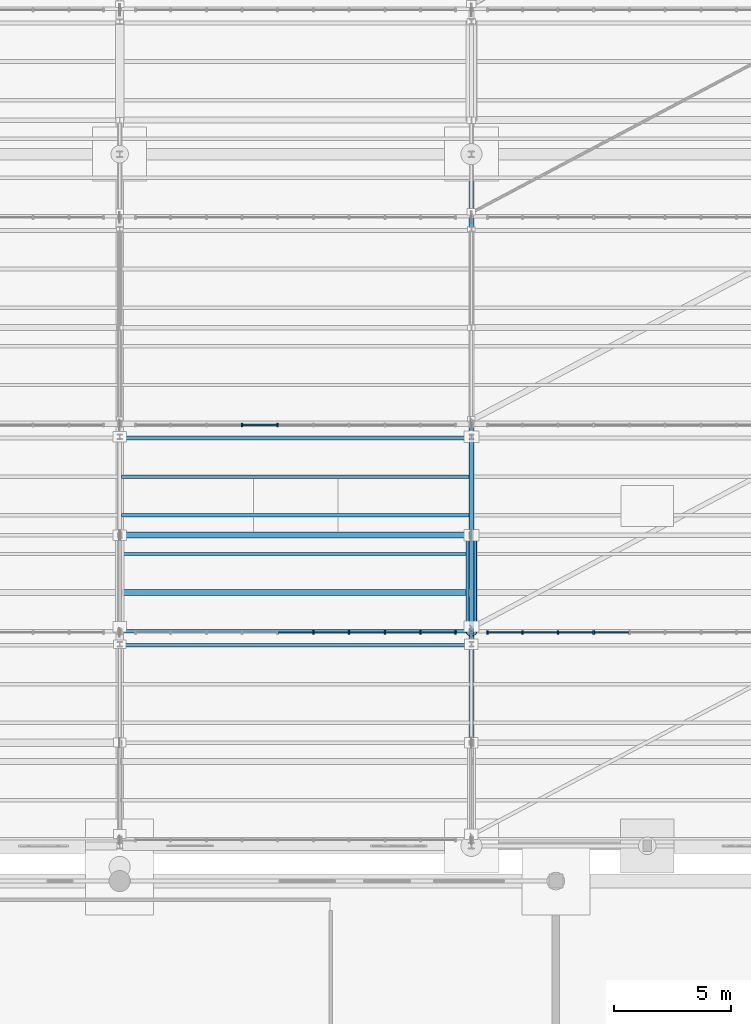
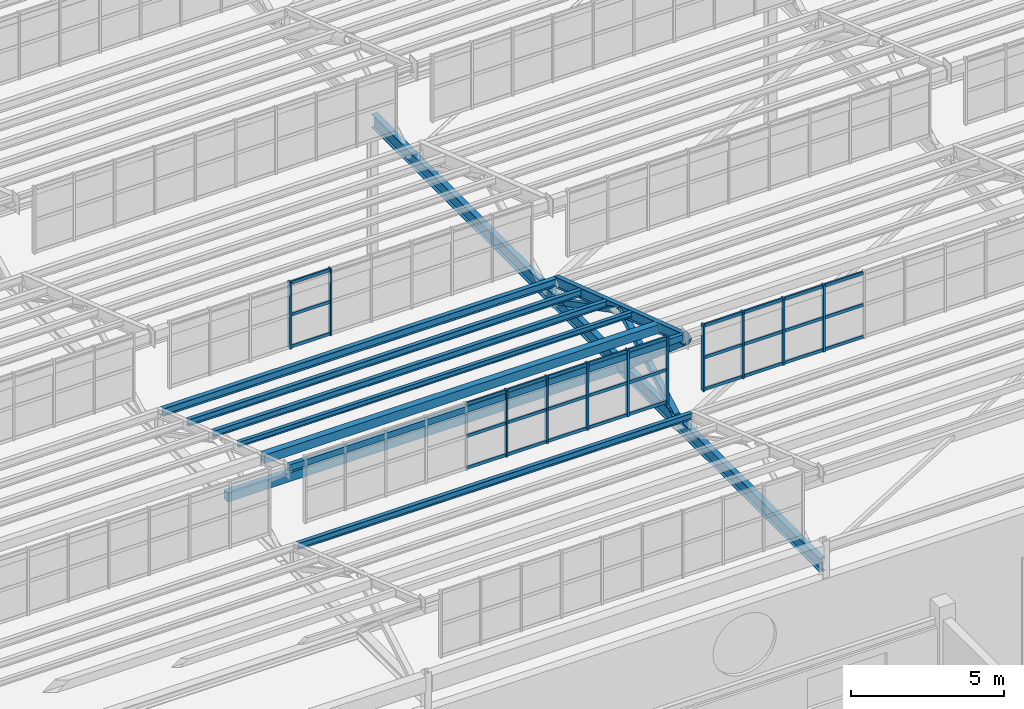
# One storey, part 78 of 285: 45 members, 9 beams, 3 elements without a shape of their own.
"""IFC4 building model written with IfcOpenShell, lengths in metres."""

from ifc_helpers import new_model, si_unit, direction, frame, origin, origin_2d, place, context, subcontext, project, spatial, rectangle, hollow_rectangle, hollow_circle, i_section, extrude, material, material_profile, profile_set, type_object, element, aggregate, save


model = new_model("IFC4")

# Units and contexts
model_context = context("Model", 3, precision=1e-05, world=origin(), true_north=direction((0.0, 1.0)))
body_context = subcontext(model_context, "Body", "Model", "MODEL_VIEW")
ifc_project = project(units=[si_unit("LENGTHUNIT", "METRE"), si_unit("AREAUNIT", "SQUARE_METRE"), si_unit("VOLUMEUNIT", "CUBIC_METRE"), si_unit("PLANEANGLEUNIT", "RADIAN"), si_unit("MASSUNIT", "GRAM", prefix="KILO")], contexts=[model_context])

# Site, building, storey
site_placement = place(None, origin())
site = spatial("IfcSite", under=ifc_project, at=site_placement, CompositionType="ELEMENT")
building_placement = place(site_placement, origin())
building = spatial("IfcBuilding", under=site, at=building_placement, Name="Solanera Park Tramway Depot", CompositionType="ELEMENT")
storey_placement = place(building_placement, origin())
storey = spatial("IfcBuildingStorey", under=building, at=storey_placement, Name="L00", CompositionType="ELEMENT", Elevation=0.0)

# Curtain wall, members
ifc_material_1 = material(Name="Bronze-anodised thermally broken aluminium curtain wall", Category="aluminium")
curtain_wall_type = type_object("IfcCurtainWallType", Name="Sawtooth Clerestory Monitor Curtain Wall", PredefinedType="NOTDEFINED", material=ifc_material_1)
curtain_wall_1_placement = place(storey_placement, origin())
curtain_wall_1 = element("IfcCurtainWall", 1, at=curtain_wall_1_placement, inside=storey, type_object=curtain_wall_type, Name="L00 Sawtooth Clerestory Monitor Curtain Wall #008", PredefinedType="NOTDEFINED")
ifc_material_2 = material(Name="Bronze-anodised structural aluminium 6063-T6", Category="aluminium")
ifc_material_profile_1 = material_profile(ifc_material_2, rectangle(XDim=0.06494140625, YDim=0.14990234375, at=origin_2d()), Name="Curtain Wall Mullion 65x150")
ifc_profile_set_1 = profile_set([ifc_material_profile_1], Name="Bronze-anodised structural aluminium 6063-T6")
member_type_1 = type_object("IfcMemberType", Name="Curtain Wall Mullion 65x150", PredefinedType="MULLION", material=ifc_profile_set_1)
member_1_placement = place(storey_placement, frame((83.260986328125, 64.60009765625, 7.75), z_axis=(0.0, 0.0, 1.0), x_axis=(1.0, 0.0, 0.0)))
member_1 = element("IfcMember", 2, at=member_1_placement, type_object=member_type_1, Name="CW-L00-008 Mullion 6", PredefinedType="MULLION", context=body_context, shape_type="SweptSolid", body=[
    extrude(rectangle(XDim=0.06494140625, YDim=0.14990234375, at=origin_2d()), origin(), (0.0, 0.0, 1.0), 2.6611328125),
])
member_2_placement = place(storey_placement, frame((84.783203125, 64.60009765625, 7.75), z_axis=(0.0, 0.0, 1.0), x_axis=(1.0, 0.0, 0.0)))
member_2 = element("IfcMember", 3, at=member_2_placement, type_object=member_type_1, Name="CW-L00-008 Mullion 7", PredefinedType="MULLION", context=body_context, shape_type="SweptSolid", body=[
    extrude(rectangle(XDim=0.06494140625, YDim=0.14990234375, at=origin_2d()), origin(), (0.0, 0.0, 1.0), 2.6611328125),
])
member_3_placement = place(storey_placement, frame((86.3056640625, 64.60009765625, 7.75), z_axis=(0.0, 0.0, 1.0), x_axis=(1.0, 0.0, 0.0)))
member_3 = element("IfcMember", 4, at=member_3_placement, type_object=member_type_1, Name="CW-L00-008 Mullion 8", PredefinedType="MULLION", context=body_context, shape_type="SweptSolid", body=[
    extrude(rectangle(XDim=0.06494140625, YDim=0.14990234375, at=origin_2d()), origin(), (0.0, 0.0, 1.0), 2.6611328125),
])
member_4_placement = place(storey_placement, frame((87.827880859375, 64.60009765625, 7.75), z_axis=(0.0, 0.0, 1.0), x_axis=(1.0, 0.0, 0.0)))
member_4 = element("IfcMember", 5, at=member_4_placement, type_object=member_type_1, Name="CW-L00-008 Mullion 9", PredefinedType="MULLION", context=body_context, shape_type="SweptSolid", body=[
    extrude(rectangle(XDim=0.06494140625, YDim=0.14990234375, at=origin_2d()), origin(), (0.0, 0.0, 1.0), 2.6611328125),
])
member_5_placement = place(storey_placement, frame((89.3173828125, 64.60009765625, 7.75), z_axis=(0.0, 0.0, 1.0), x_axis=(1.0, 0.0, 0.0)))
member_5 = element("IfcMember", 6, at=member_5_placement, type_object=member_type_1, Name="CW-L00-008 Mullion 10", PredefinedType="MULLION", context=body_context, shape_type="SweptSolid", body=[
    extrude(rectangle(XDim=0.06494140625, YDim=0.14990234375, at=origin_2d()), origin(), (0.0, 0.0, 1.0), 2.6611328125),
])

curtain_wall_2_placement = place(storey_placement, origin())
curtain_wall_2 = element("IfcCurtainWall", 7, at=curtain_wall_2_placement, inside=storey, type_object=curtain_wall_type, Name="L00 Sawtooth Clerestory Monitor Curtain Wall #009", PredefinedType="NOTDEFINED")
member_6_placement = place(storey_placement, frame((90.6826171875, 64.60009765625, 7.75), z_axis=(0.0, 0.0, 1.0), x_axis=(1.0, 0.0, 0.0)))
member_6 = element("IfcMember", 8, at=member_6_placement, type_object=member_type_1, Name="CW-L00-009 Mullion 1", PredefinedType="MULLION", context=body_context, shape_type="SweptSolid", body=[
    extrude(rectangle(XDim=0.06494140625, YDim=0.14990234375, at=origin_2d()), origin(), (0.0, 0.0, 1.0), 2.6611328125),
])
member_7_placement = place(storey_placement, frame((92.172119140625, 64.60009765625, 7.75), z_axis=(0.0, 0.0, 1.0), x_axis=(1.0, 0.0, 0.0)))
member_7 = element("IfcMember", 9, at=member_7_placement, type_object=member_type_1, Name="CW-L00-009 Mullion 2", PredefinedType="MULLION", context=body_context, shape_type="SweptSolid", body=[
    extrude(rectangle(XDim=0.06494140625, YDim=0.14990234375, at=origin_2d()), origin(), (0.0, 0.0, 1.0), 2.6611328125),
])
member_8_placement = place(storey_placement, frame((93.6943359375, 64.60009765625, 7.75), z_axis=(0.0, 0.0, 1.0), x_axis=(1.0, 0.0, 0.0)))
member_8 = element("IfcMember", 10, at=member_8_placement, type_object=member_type_1, Name="CW-L00-009 Mullion 3", PredefinedType="MULLION", context=body_context, shape_type="SweptSolid", body=[
    extrude(rectangle(XDim=0.06494140625, YDim=0.14990234375, at=origin_2d()), origin(), (0.0, 0.0, 1.0), 2.6611328125),
])
member_9_placement = place(storey_placement, frame((95.216796875, 64.60009765625, 7.75), z_axis=(0.0, 0.0, 1.0), x_axis=(1.0, 0.0, 0.0)))
member_9 = element("IfcMember", 11, at=member_9_placement, type_object=member_type_1, Name="CW-L00-009 Mullion 4", PredefinedType="MULLION", context=body_context, shape_type="SweptSolid", body=[
    extrude(rectangle(XDim=0.06494140625, YDim=0.14990234375, at=origin_2d()), origin(), (0.0, 0.0, 1.0), 2.6611328125),
])

curtain_wall_3_placement = place(storey_placement, origin())
curtain_wall_3 = element("IfcCurtainWall", 12, at=curtain_wall_3_placement, inside=storey, type_object=curtain_wall_type, Name="L00 Sawtooth Clerestory Monitor Curtain Wall #016", PredefinedType="NOTDEFINED")
member_10_placement = place(storey_placement, frame((80.216796875, 73.449951171875, 7.75), z_axis=(0.0, 0.0, 1.0), x_axis=(1.0, 0.0, 0.0)))
member_10 = element("IfcMember", 13, at=member_10_placement, type_object=member_type_1, Name="CW-L00-016 Mullion 4", PredefinedType="MULLION", context=body_context, shape_type="SweptSolid", body=[
    extrude(rectangle(XDim=0.06494140625, YDim=0.14990234375, at=origin_2d()), origin(), (0.0, 0.0, 1.0), 2.6611328125),
])
member_11_placement = place(storey_placement, frame((81.739013671875, 73.449951171875, 7.75), z_axis=(0.0, 0.0, 1.0), x_axis=(1.0, 0.0, 0.0)))
member_11 = element("IfcMember", 14, at=member_11_placement, type_object=member_type_1, Name="CW-L00-016 Mullion 5", PredefinedType="MULLION", context=body_context, shape_type="SweptSolid", body=[
    extrude(rectangle(XDim=0.06494140625, YDim=0.14990234375, at=origin_2d()), origin(), (0.0, 0.0, 1.0), 2.6611328125),
])

# Member
ifc_material_3 = material(Name="Bronze-anodised structural aluminium 6063-T6", Category="aluminium")
ifc_material_profile_2 = material_profile(ifc_material_3, rectangle(XDim=0.06494140625, YDim=0.1201171875, at=origin_2d()), Name="Curtain Wall Transom 65x120")
ifc_profile_set_2 = profile_set([ifc_material_profile_2], Name="Bronze-anodised structural aluminium 6063-T6")
member_type_2 = type_object("IfcMemberType", Name="Curtain Wall Transom 65x120", PredefinedType="USERDEFINED", material=ifc_profile_set_2)
member_12_placement = place(storey_placement, frame((81.766845703125, 64.60009765625, 7.81005859375), z_axis=(1.0, 0.0, 0.0), x_axis=(0.0, 1.0, 0.0)))
member_12 = element("IfcMember", 15, at=member_12_placement, type_object=member_type_2, Name="CW-L00-008 Transom R1.C5", ObjectType="TRANSOM", PredefinedType="USERDEFINED", context=body_context, shape_type="SweptSolid", body=[
    extrude(rectangle(XDim=0.06494140625, YDim=0.1201171875, at=origin_2d()), origin(), (0.0, 0.0, 1.0), 1.46630859375),
])

member_13_placement = place(storey_placement, frame((83.2890625, 64.60009765625, 7.81005859375), z_axis=(1.0, 0.0, 0.0), x_axis=(0.0, 1.0, 0.0)))
member_13 = element("IfcMember", 16, at=member_13_placement, type_object=member_type_2, Name="CW-L00-008 Transom R1.C6", ObjectType="TRANSOM", PredefinedType="USERDEFINED", context=body_context, shape_type="SweptSolid", body=[
    extrude(rectangle(XDim=0.06494140625, YDim=0.1201171875, at=origin_2d()), origin(), (0.0, 0.0, 1.0), 1.46630859375),
])

member_14_placement = place(storey_placement, frame((84.811279296875, 64.60009765625, 7.81005859375), z_axis=(1.0, 0.0, 0.0), x_axis=(0.0, 1.0, 0.0)))
member_14 = element("IfcMember", 17, at=member_14_placement, type_object=member_type_2, Name="CW-L00-008 Transom R1.C7", ObjectType="TRANSOM", PredefinedType="USERDEFINED", context=body_context, shape_type="SweptSolid", body=[
    extrude(rectangle(XDim=0.06494140625, YDim=0.1201171875, at=origin_2d()), origin(), (0.0, 0.0, 1.0), 1.46630859375),
])

member_15_placement = place(storey_placement, frame((86.33349609375, 64.60009765625, 7.81005859375), z_axis=(1.0, 0.0, 0.0), x_axis=(0.0, 1.0, 0.0)))
member_15 = element("IfcMember", 18, at=member_15_placement, type_object=member_type_2, Name="CW-L00-008 Transom R1.C8", ObjectType="TRANSOM", PredefinedType="USERDEFINED", context=body_context, shape_type="SweptSolid", body=[
    extrude(rectangle(XDim=0.06494140625, YDim=0.1201171875, at=origin_2d()), origin(), (0.0, 0.0, 1.0), 1.46630859375),
])

member_16_placement = place(storey_placement, frame((87.855712890625, 64.60009765625, 7.81005859375), z_axis=(1.0, 0.0, 0.0), x_axis=(0.0, 1.0, 0.0)))
member_16 = element("IfcMember", 19, at=member_16_placement, type_object=member_type_2, Name="CW-L00-008 Transom R1.C9", ObjectType="TRANSOM", PredefinedType="USERDEFINED", context=body_context, shape_type="SweptSolid", body=[
    extrude(rectangle(XDim=0.06494140625, YDim=0.1201171875, at=origin_2d()), origin(), (0.0, 0.0, 1.0), 1.433837890625),
])

member_17_placement = place(storey_placement, frame((81.766845703125, 64.60009765625, 9.08056640625), z_axis=(1.0, 0.0, 0.0), x_axis=(0.0, 1.0, 0.0)))
member_17 = element("IfcMember", 20, at=member_17_placement, type_object=member_type_2, Name="CW-L00-008 Transom R2.C5", ObjectType="TRANSOM", PredefinedType="USERDEFINED", context=body_context, shape_type="SweptSolid", body=[
    extrude(rectangle(XDim=0.06494140625, YDim=0.1201171875, at=origin_2d()), origin(), (0.0, 0.0, 1.0), 1.46630859375),
])

member_18_placement = place(storey_placement, frame((83.2890625, 64.60009765625, 9.08056640625), z_axis=(1.0, 0.0, 0.0), x_axis=(0.0, 1.0, 0.0)))
member_18 = element("IfcMember", 21, at=member_18_placement, type_object=member_type_2, Name="CW-L00-008 Transom R2.C6", ObjectType="TRANSOM", PredefinedType="USERDEFINED", context=body_context, shape_type="SweptSolid", body=[
    extrude(rectangle(XDim=0.06494140625, YDim=0.1201171875, at=origin_2d()), origin(), (0.0, 0.0, 1.0), 1.46630859375),
])

member_19_placement = place(storey_placement, frame((84.811279296875, 64.60009765625, 9.08056640625), z_axis=(1.0, 0.0, 0.0), x_axis=(0.0, 1.0, 0.0)))
member_19 = element("IfcMember", 22, at=member_19_placement, type_object=member_type_2, Name="CW-L00-008 Transom R2.C7", ObjectType="TRANSOM", PredefinedType="USERDEFINED", context=body_context, shape_type="SweptSolid", body=[
    extrude(rectangle(XDim=0.06494140625, YDim=0.1201171875, at=origin_2d()), origin(), (0.0, 0.0, 1.0), 1.46630859375),
])

member_20_placement = place(storey_placement, frame((86.33349609375, 64.60009765625, 9.08056640625), z_axis=(1.0, 0.0, 0.0), x_axis=(0.0, 1.0, 0.0)))
member_20 = element("IfcMember", 23, at=member_20_placement, type_object=member_type_2, Name="CW-L00-008 Transom R2.C8", ObjectType="TRANSOM", PredefinedType="USERDEFINED", context=body_context, shape_type="SweptSolid", body=[
    extrude(rectangle(XDim=0.06494140625, YDim=0.1201171875, at=origin_2d()), origin(), (0.0, 0.0, 1.0), 1.46630859375),
])

member_21_placement = place(storey_placement, frame((87.855712890625, 64.60009765625, 9.08056640625), z_axis=(1.0, 0.0, 0.0), x_axis=(0.0, 1.0, 0.0)))
member_21 = element("IfcMember", 24, at=member_21_placement, type_object=member_type_2, Name="CW-L00-008 Transom R2.C9", ObjectType="TRANSOM", PredefinedType="USERDEFINED", context=body_context, shape_type="SweptSolid", body=[
    extrude(rectangle(XDim=0.06494140625, YDim=0.1201171875, at=origin_2d()), origin(), (0.0, 0.0, 1.0), 1.433837890625),
])

member_22_placement = place(storey_placement, frame((81.766845703125, 64.60009765625, 10.351318359375), z_axis=(1.0, 0.0, 0.0), x_axis=(0.0, 1.0, 0.0)))
member_22 = element("IfcMember", 25, at=member_22_placement, type_object=member_type_2, Name="CW-L00-008 Transom R3.C5", ObjectType="TRANSOM", PredefinedType="USERDEFINED", context=body_context, shape_type="SweptSolid", body=[
    extrude(rectangle(XDim=0.06494140625, YDim=0.1201171875, at=origin_2d()), origin(), (0.0, 0.0, 1.0), 1.46630859375),
])

member_23_placement = place(storey_placement, frame((83.2890625, 64.60009765625, 10.351318359375), z_axis=(1.0, 0.0, 0.0), x_axis=(0.0, 1.0, 0.0)))
member_23 = element("IfcMember", 26, at=member_23_placement, type_object=member_type_2, Name="CW-L00-008 Transom R3.C6", ObjectType="TRANSOM", PredefinedType="USERDEFINED", context=body_context, shape_type="SweptSolid", body=[
    extrude(rectangle(XDim=0.06494140625, YDim=0.1201171875, at=origin_2d()), origin(), (0.0, 0.0, 1.0), 1.46630859375),
])

member_24_placement = place(storey_placement, frame((84.811279296875, 64.60009765625, 10.351318359375), z_axis=(1.0, 0.0, 0.0), x_axis=(0.0, 1.0, 0.0)))
member_24 = element("IfcMember", 27, at=member_24_placement, type_object=member_type_2, Name="CW-L00-008 Transom R3.C7", ObjectType="TRANSOM", PredefinedType="USERDEFINED", context=body_context, shape_type="SweptSolid", body=[
    extrude(rectangle(XDim=0.06494140625, YDim=0.1201171875, at=origin_2d()), origin(), (0.0, 0.0, 1.0), 1.46630859375),
])

member_25_placement = place(storey_placement, frame((86.33349609375, 64.60009765625, 10.351318359375), z_axis=(1.0, 0.0, 0.0), x_axis=(0.0, 1.0, 0.0)))
member_25 = element("IfcMember", 28, at=member_25_placement, type_object=member_type_2, Name="CW-L00-008 Transom R3.C8", ObjectType="TRANSOM", PredefinedType="USERDEFINED", context=body_context, shape_type="SweptSolid", body=[
    extrude(rectangle(XDim=0.06494140625, YDim=0.1201171875, at=origin_2d()), origin(), (0.0, 0.0, 1.0), 1.46630859375),
])

member_26_placement = place(storey_placement, frame((87.855712890625, 64.60009765625, 10.351318359375), z_axis=(1.0, 0.0, 0.0), x_axis=(0.0, 1.0, 0.0)))
member_26 = element("IfcMember", 29, at=member_26_placement, type_object=member_type_2, Name="CW-L00-008 Transom R3.C9", ObjectType="TRANSOM", PredefinedType="USERDEFINED", context=body_context, shape_type="SweptSolid", body=[
    extrude(rectangle(XDim=0.06494140625, YDim=0.1201171875, at=origin_2d()), origin(), (0.0, 0.0, 1.0), 1.433837890625),
])

aggregate(curtain_wall_1, [member_1, member_2, member_3, member_4, member_5, member_12, member_13, member_14, member_15, member_16, member_17, member_18, member_19, member_20, member_21, member_22, member_23, member_24, member_25, member_26])

member_27_placement = place(storey_placement, frame((90.71044921875, 64.60009765625, 7.81005859375), z_axis=(1.0, 0.0, 0.0), x_axis=(0.0, 1.0, 0.0)))
member_27 = element("IfcMember", 30, at=member_27_placement, type_object=member_type_2, Name="CW-L00-009 Transom R1.C1", ObjectType="TRANSOM", PredefinedType="USERDEFINED", context=body_context, shape_type="SweptSolid", body=[
    extrude(rectangle(XDim=0.06494140625, YDim=0.1201171875, at=origin_2d()), origin(), (0.0, 0.0, 1.0), 1.433837890625),
])

member_28_placement = place(storey_placement, frame((92.2001953125, 64.60009765625, 7.81005859375), z_axis=(1.0, 0.0, 0.0), x_axis=(0.0, 1.0, 0.0)))
member_28 = element("IfcMember", 31, at=member_28_placement, type_object=member_type_2, Name="CW-L00-009 Transom R1.C2", ObjectType="TRANSOM", PredefinedType="USERDEFINED", context=body_context, shape_type="SweptSolid", body=[
    extrude(rectangle(XDim=0.06494140625, YDim=0.1201171875, at=origin_2d()), origin(), (0.0, 0.0, 1.0), 1.46630859375),
])

member_29_placement = place(storey_placement, frame((93.722412109375, 64.60009765625, 7.81005859375), z_axis=(1.0, 0.0, 0.0), x_axis=(0.0, 1.0, 0.0)))
member_29 = element("IfcMember", 32, at=member_29_placement, type_object=member_type_2, Name="CW-L00-009 Transom R1.C3", ObjectType="TRANSOM", PredefinedType="USERDEFINED", context=body_context, shape_type="SweptSolid", body=[
    extrude(rectangle(XDim=0.06494140625, YDim=0.1201171875, at=origin_2d()), origin(), (0.0, 0.0, 1.0), 1.46630859375),
])

member_30_placement = place(storey_placement, frame((95.24462890625, 64.60009765625, 7.81005859375), z_axis=(1.0, 0.0, 0.0), x_axis=(0.0, 1.0, 0.0)))
member_30 = element("IfcMember", 33, at=member_30_placement, type_object=member_type_2, Name="CW-L00-009 Transom R1.C4", ObjectType="TRANSOM", PredefinedType="USERDEFINED", context=body_context, shape_type="SweptSolid", body=[
    extrude(rectangle(XDim=0.06494140625, YDim=0.1201171875, at=origin_2d()), origin(), (0.0, 0.0, 1.0), 1.46630859375),
])

member_31_placement = place(storey_placement, frame((90.71044921875, 64.60009765625, 9.08056640625), z_axis=(1.0, 0.0, 0.0), x_axis=(0.0, 1.0, 0.0)))
member_31 = element("IfcMember", 34, at=member_31_placement, type_object=member_type_2, Name="CW-L00-009 Transom R2.C1", ObjectType="TRANSOM", PredefinedType="USERDEFINED", context=body_context, shape_type="SweptSolid", body=[
    extrude(rectangle(XDim=0.06494140625, YDim=0.1201171875, at=origin_2d()), origin(), (0.0, 0.0, 1.0), 1.433837890625),
])

member_32_placement = place(storey_placement, frame((92.2001953125, 64.60009765625, 9.08056640625), z_axis=(1.0, 0.0, 0.0), x_axis=(0.0, 1.0, 0.0)))
member_32 = element("IfcMember", 35, at=member_32_placement, type_object=member_type_2, Name="CW-L00-009 Transom R2.C2", ObjectType="TRANSOM", PredefinedType="USERDEFINED", context=body_context, shape_type="SweptSolid", body=[
    extrude(rectangle(XDim=0.06494140625, YDim=0.1201171875, at=origin_2d()), origin(), (0.0, 0.0, 1.0), 1.46630859375),
])

member_33_placement = place(storey_placement, frame((93.722412109375, 64.60009765625, 9.08056640625), z_axis=(1.0, 0.0, 0.0), x_axis=(0.0, 1.0, 0.0)))
member_33 = element("IfcMember", 36, at=member_33_placement, type_object=member_type_2, Name="CW-L00-009 Transom R2.C3", ObjectType="TRANSOM", PredefinedType="USERDEFINED", context=body_context, shape_type="SweptSolid", body=[
    extrude(rectangle(XDim=0.06494140625, YDim=0.1201171875, at=origin_2d()), origin(), (0.0, 0.0, 1.0), 1.46630859375),
])

member_34_placement = place(storey_placement, frame((95.24462890625, 64.60009765625, 9.08056640625), z_axis=(1.0, 0.0, 0.0), x_axis=(0.0, 1.0, 0.0)))
member_34 = element("IfcMember", 37, at=member_34_placement, type_object=member_type_2, Name="CW-L00-009 Transom R2.C4", ObjectType="TRANSOM", PredefinedType="USERDEFINED", context=body_context, shape_type="SweptSolid", body=[
    extrude(rectangle(XDim=0.06494140625, YDim=0.1201171875, at=origin_2d()), origin(), (0.0, 0.0, 1.0), 1.46630859375),
])

member_35_placement = place(storey_placement, frame((90.71044921875, 64.60009765625, 10.351318359375), z_axis=(1.0, 0.0, 0.0), x_axis=(0.0, 1.0, 0.0)))
member_35 = element("IfcMember", 38, at=member_35_placement, type_object=member_type_2, Name="CW-L00-009 Transom R3.C1", ObjectType="TRANSOM", PredefinedType="USERDEFINED", context=body_context, shape_type="SweptSolid", body=[
    extrude(rectangle(XDim=0.06494140625, YDim=0.1201171875, at=origin_2d()), origin(), (0.0, 0.0, 1.0), 1.433837890625),
])

member_36_placement = place(storey_placement, frame((92.2001953125, 64.60009765625, 10.351318359375), z_axis=(1.0, 0.0, 0.0), x_axis=(0.0, 1.0, 0.0)))
member_36 = element("IfcMember", 39, at=member_36_placement, type_object=member_type_2, Name="CW-L00-009 Transom R3.C2", ObjectType="TRANSOM", PredefinedType="USERDEFINED", context=body_context, shape_type="SweptSolid", body=[
    extrude(rectangle(XDim=0.06494140625, YDim=0.1201171875, at=origin_2d()), origin(), (0.0, 0.0, 1.0), 1.46630859375),
])

member_37_placement = place(storey_placement, frame((93.722412109375, 64.60009765625, 10.351318359375), z_axis=(1.0, 0.0, 0.0), x_axis=(0.0, 1.0, 0.0)))
member_37 = element("IfcMember", 40, at=member_37_placement, type_object=member_type_2, Name="CW-L00-009 Transom R3.C3", ObjectType="TRANSOM", PredefinedType="USERDEFINED", context=body_context, shape_type="SweptSolid", body=[
    extrude(rectangle(XDim=0.06494140625, YDim=0.1201171875, at=origin_2d()), origin(), (0.0, 0.0, 1.0), 1.46630859375),
])

member_38_placement = place(storey_placement, frame((95.24462890625, 64.60009765625, 10.351318359375), z_axis=(1.0, 0.0, 0.0), x_axis=(0.0, 1.0, 0.0)))
member_38 = element("IfcMember", 41, at=member_38_placement, type_object=member_type_2, Name="CW-L00-009 Transom R3.C4", ObjectType="TRANSOM", PredefinedType="USERDEFINED", context=body_context, shape_type="SweptSolid", body=[
    extrude(rectangle(XDim=0.06494140625, YDim=0.1201171875, at=origin_2d()), origin(), (0.0, 0.0, 1.0), 1.46630859375),
])

aggregate(curtain_wall_2, [member_6, member_7, member_8, member_9, member_27, member_28, member_29, member_30, member_31, member_32, member_33, member_34, member_35, member_36, member_37, member_38])

member_39_placement = place(storey_placement, frame((80.24462890625, 73.449951171875, 7.81005859375), z_axis=(1.0, 0.0, 0.0), x_axis=(0.0, 1.0, 0.0)))
member_39 = element("IfcMember", 42, at=member_39_placement, type_object=member_type_2, Name="CW-L00-016 Transom R1.C4", ObjectType="TRANSOM", PredefinedType="USERDEFINED", context=body_context, shape_type="SweptSolid", body=[
    extrude(rectangle(XDim=0.06494140625, YDim=0.1201171875, at=origin_2d()), origin(), (0.0, 0.0, 1.0), 1.46630859375),
])

member_40_placement = place(storey_placement, frame((80.24462890625, 73.449951171875, 9.08056640625), z_axis=(1.0, 0.0, 0.0), x_axis=(0.0, 1.0, 0.0)))
member_40 = element("IfcMember", 43, at=member_40_placement, type_object=member_type_2, Name="CW-L00-016 Transom R2.C4", ObjectType="TRANSOM", PredefinedType="USERDEFINED", context=body_context, shape_type="SweptSolid", body=[
    extrude(rectangle(XDim=0.06494140625, YDim=0.1201171875, at=origin_2d()), origin(), (0.0, 0.0, 1.0), 1.46630859375),
])

member_41_placement = place(storey_placement, frame((80.24462890625, 73.449951171875, 10.351318359375), z_axis=(1.0, 0.0, 0.0), x_axis=(0.0, 1.0, 0.0)))
member_41 = element("IfcMember", 44, at=member_41_placement, type_object=member_type_2, Name="CW-L00-016 Transom R3.C4", ObjectType="TRANSOM", PredefinedType="USERDEFINED", context=body_context, shape_type="SweptSolid", body=[
    extrude(rectangle(XDim=0.06494140625, YDim=0.1201171875, at=origin_2d()), origin(), (0.0, 0.0, 1.0), 1.46630859375),
])

aggregate(curtain_wall_3, [member_10, member_11, member_39, member_40, member_41])

# Members
ifc_material_4 = material(Name="Steel AS/NZS 3679.1 Grade 350", Category="steel")
ifc_material_profile_3 = material_profile(ifc_material_4, i_section(OverallWidth=0.205078125, OverallDepth=0.209716796875, WebThickness=0.00927734375, FlangeThickness=0.01416015625, at=origin_2d()), Name="200UC59.5")
ifc_profile_set_3 = profile_set([ifc_material_profile_3], Name="Steel AS/NZS 3679.1 Grade 350")
member_type_3 = type_object("IfcMemberType", Name="Roof Gantry Compression Strut 200UC59.5", PredefinedType="STRUT", material=ifc_profile_set_3)
member_42_placement = place(storey_placement, frame((90.0, 64.85009765625, 6.5), z_axis=(0.0, 0.871630906744, 0.490162791742), x_axis=(-1.0, 0.0, 0.0)))
element("IfcMember", 45, at=member_42_placement, inside=storey, type_object=member_type_3, Name="Sawtooth ROOF TRUSS Strut 200UC59.5 #0063", PredefinedType="STRUT", context=body_context, shape_type="SweptSolid", body=[
    extrude(i_section(OverallWidth=0.205078125, OverallDepth=0.209716796875, WebThickness=0.00927734375, FlangeThickness=0.01416015625, at=origin_2d()), origin(), (0.0, 0.0, 1.0), 4.474365234375),
])
ifc_material_5 = material(Name="Steel AS/NZS 1163 Grade C350L0", Category="steel")
ifc_material_profile_4 = material_profile(ifc_material_5, hollow_rectangle(XDim=0.25, YDim=0.35009765625, WallThickness=0.010009765625, at=origin_2d()), Name="350x250x10.0 RHS")
ifc_profile_set_4 = profile_set([ifc_material_profile_4], Name="Steel AS/NZS 1163 Grade C350L0")
member_type_4 = type_object("IfcMemberType", Name="Secondary Truss Chord 350x250x10.0 RHS", PredefinedType="CHORD", material=ifc_profile_set_4)
member_43_placement = place(storey_placement, frame((75.087890625, 68.75, 6.5), z_axis=(1.0, 0.0, 0.0), x_axis=(0.0, 1.0, 0.0)))
element("IfcMember", 46, at=member_43_placement, inside=storey, type_object=member_type_4, Name="Sawtooth Longitudinal Tie Chord 350x250x10.0 RHS #0079", PredefinedType="CHORD", context=body_context, shape_type="SweptSolid", body=[
    extrude(hollow_rectangle(XDim=0.25, YDim=0.35009765625, WallThickness=0.010009765625, at=origin_2d()), origin(), (0.0, 0.0, 1.0), 14.82421875),
])

# Beams
ifc_material_6 = material(Name="Steel AS/NZS 3679.1 Grade 350", Category="steel")
ifc_material_profile_5 = material_profile(ifc_material_6, i_section(OverallWidth=0.177734375, OverallDepth=0.406494140625, WebThickness=0.0078125, FlangeThickness=0.0126953125, at=origin_2d()), Name="410UB59.7")
ifc_profile_set_5 = profile_set([ifc_material_profile_5], Name="Steel AS/NZS 3679.1 Grade 350")
beam_type_1 = type_object("IfcBeamType", Name="Steel Beam 410UB59.7", PredefinedType="BEAM", material=ifc_profile_set_5)
beam_1_placement = place(storey_placement, frame((90.0, 64.60009765625, 10.08154296875), z_axis=(0.0, 0.948319437663, -0.317317261034), x_axis=(-1.0, 0.0, 0.0)))
element("IfcBeam", 47, at=beam_1_placement, inside=storey, type_object=beam_type_1, Name="Sawtooth ROOF TRUSS Top Rafter 410UB59.7 B02-T6", PredefinedType="BEAM", context=body_context, shape_type="SweptSolid", body=[
    extrude(i_section(OverallWidth=0.177734375, OverallDepth=0.406494140625, WebThickness=0.0078125, FlangeThickness=0.0126953125, at=origin_2d()), origin(), (0.0, 0.0, 1.0), 8.804931640625),
])
ifc_material_7 = material(Name="Steel AS/NZS 3679.1 Grade 350", Category="steel")
ifc_material_profile_6 = material_profile(ifc_material_7, i_section(OverallWidth=0.209228515625, OverallDepth=0.532958984375, WebThickness=0.01025390625, FlangeThickness=0.015625, at=origin_2d()), Name="530UB92.4")
ifc_profile_set_6 = profile_set([ifc_material_profile_6], Name="Steel AS/NZS 3679.1 Grade 350")
beam_type_2 = type_object("IfcBeamType", Name="Steel Beam 530UB92.4", PredefinedType="BEAM", material=ifc_profile_set_6)
beam_2_placement = place(storey_placement, frame((90.0, 55.6279296875, 6.5), z_axis=(0.0, 1.0, 0.0), x_axis=(-1.0, 0.0, 0.0)))
element("IfcBeam", 48, at=beam_2_placement, inside=storey, type_object=beam_type_2, Name="Sawtooth ROOF TRUSS Bottom Chord 530UB92.4 #0385", PredefinedType="BEAM", context=body_context, shape_type="SweptSolid", body=[
    extrude(i_section(OverallWidth=0.209228515625, OverallDepth=0.532958984375, WebThickness=0.01025390625, FlangeThickness=0.015625, at=origin_2d()), origin(), (0.0, 0.0, 1.0), 29.244384765625),
])
ifc_material_8 = material(Name="Steel AS/NZS 3679.1 Grade 350", Category="steel")
ifc_material_profile_7 = material_profile(ifc_material_8, i_section(OverallWidth=0.13330078125, OverallDepth=0.203125, WebThickness=0.005859375, FlangeThickness=0.0078125, at=origin_2d()), Name="200UB25.4")
ifc_profile_set_7 = profile_set([ifc_material_profile_7], Name="Steel AS/NZS 3679.1 Grade 350")
beam_type_3 = type_object("IfcBeamType", Name="Steel Joist Purlin 200UB25.4", PredefinedType="JOIST", material=ifc_profile_set_7)
beam_3_placement = place(storey_placement, frame((75.077880859375, 67.949951171875, 9.06201171875), z_axis=(1.0, 0.0, 0.0), x_axis=(0.0, 1.0, 0.0)))
element("IfcBeam", 49, at=beam_3_placement, inside=storey, type_object=beam_type_3, Name="Sawtooth Roof Purlin 200UB25.4 B02.3", PredefinedType="JOIST", context=body_context, shape_type="SweptSolid", body=[
    extrude(i_section(OverallWidth=0.13330078125, OverallDepth=0.203125, WebThickness=0.005859375, FlangeThickness=0.0078125, at=origin_2d()), origin(), (0.0, 0.0, 1.0), 14.84130859375),
])
ifc_material_9 = material(Name="Steel AS/NZS 3679.1 Grade 350", Category="steel")
ifc_material_profile_8 = material_profile(ifc_material_9, i_section(OverallWidth=0.14599609375, OverallDepth=0.251708984375, WebThickness=0.006103515625, FlangeThickness=0.008544921875, at=origin_2d()), Name="250UB31.4")
ifc_profile_set_8 = profile_set([ifc_material_profile_8], Name="Steel AS/NZS 3679.1 Grade 350")
beam_type_4 = type_object("IfcBeamType", Name="Steel Joist Purlin 250UB31.4", PredefinedType="JOIST", material=ifc_profile_set_8)
beam_4_placement = place(storey_placement, frame((75.077880859375, 69.60009765625, 8.483642578125), z_axis=(1.0, 0.0, 0.0), x_axis=(0.0, 1.0, 0.0)))
element("IfcBeam", 50, at=beam_4_placement, inside=storey, type_object=beam_type_4, Name="Sawtooth Roof Purlin 250UB31.4 B02.4", PredefinedType="JOIST", context=body_context, shape_type="SweptSolid", body=[
    extrude(i_section(OverallWidth=0.14599609375, OverallDepth=0.251708984375, WebThickness=0.006103515625, FlangeThickness=0.008544921875, at=origin_2d()), origin(), (0.0, 0.0, 1.0), 14.84130859375),
])
ifc_material_10 = material(Name="Steel AS/NZS 3679.1 Grade 350", Category="steel")
ifc_material_profile_9 = material_profile(ifc_material_10, i_section(OverallWidth=0.146484375, OverallDepth=0.256103515625, WebThickness=0.00634765625, FlangeThickness=0.010986328125, at=origin_2d()), Name="250UB37.3")
ifc_profile_set_9 = profile_set([ifc_material_profile_9], Name="Steel AS/NZS 3679.1 Grade 350")
beam_type_5 = type_object("IfcBeamType", Name="Steel Joist Purlin 250UB37.3", PredefinedType="JOIST", material=ifc_profile_set_9)
beam_5_placement = place(storey_placement, frame((75.074951171875, 64.050048828125, 7.377197265625), z_axis=(1.0, 0.0, 0.0), x_axis=(0.0, 1.0, 0.0)))
element("IfcBeam", 51, at=beam_5_placement, inside=storey, type_object=beam_type_5, Name="Sawtooth Roof Purlin 250UB37.3 B01.6", PredefinedType="JOIST", context=body_context, shape_type="SweptSolid", body=[
    extrude(i_section(OverallWidth=0.146484375, OverallDepth=0.256103515625, WebThickness=0.00634765625, FlangeThickness=0.010986328125, at=origin_2d()), origin(), (0.0, 0.0, 1.0), 14.84716796875),
])
beam_6_placement = place(storey_placement, frame((75.077880859375, 71.25, 7.92919921875), z_axis=(1.0, 0.0, 0.0), x_axis=(0.0, 1.0, 0.0)))
element("IfcBeam", 52, at=beam_6_placement, inside=storey, type_object=beam_type_5, Name="Sawtooth Roof Purlin 250UB37.3 B02.5", PredefinedType="JOIST", context=body_context, shape_type="SweptSolid", body=[
    extrude(i_section(OverallWidth=0.146484375, OverallDepth=0.256103515625, WebThickness=0.00634765625, FlangeThickness=0.010986328125, at=origin_2d()), origin(), (0.0, 0.0, 1.0), 14.84130859375),
])
ifc_material_11 = material(Name="Steel AS/NZS 1163 Grade C350L0", Category="steel")
ifc_material_profile_10 = material_profile(ifc_material_11, hollow_rectangle(XDim=0.14990234375, YDim=0.25, WallThickness=0.008056640625, at=origin_2d()), Name="250x150x8.0 RHS")
ifc_profile_set_10 = profile_set([ifc_material_profile_10], Name="Steel AS/NZS 1163 Grade C350L0")
beam_type_6 = type_object("IfcBeamType", Name="Steel Joist Purlin 250x150x8.0 RHS", PredefinedType="JOIST", material=ifc_profile_set_10)
beam_7_placement = place(storey_placement, frame((75.077880859375, 64.64990234375, 10.139892578125), z_axis=(1.0, 0.0, 0.0), x_axis=(0.0, 1.0, 0.0)))
element("IfcBeam", 53, at=beam_7_placement, inside=storey, type_object=beam_type_6, Name="Sawtooth Roof Purlin 250x150x8.0 RHS B02.1", PredefinedType="JOIST", context=body_context, shape_type="SweptSolid", body=[
    extrude(hollow_rectangle(XDim=0.14990234375, YDim=0.25, WallThickness=0.008056640625, at=origin_2d()), origin(), (0.0, 0.0, 1.0), 14.84130859375),
])
ifc_material_12 = material(Name="Steel AS/NZS 3679.1 Grade 350", Category="steel")
ifc_material_profile_11 = material_profile(ifc_material_12, i_section(OverallWidth=0.1650390625, OverallDepth=0.3037109375, WebThickness=0.006103515625, FlangeThickness=0.01025390625, at=origin_2d()), Name="310UB40.4")
ifc_profile_set_11 = profile_set([ifc_material_profile_11], Name="Steel AS/NZS 3679.1 Grade 350")
beam_type_7 = type_object("IfcBeamType", Name="Steel Joist Purlin 310UB40.4", PredefinedType="JOIST", material=ifc_profile_set_11)
beam_8_placement = place(storey_placement, frame((75.077880859375, 72.89990234375, 7.35009765625), z_axis=(1.0, 0.0, 0.0), x_axis=(0.0, 1.0, 0.0)))
element("IfcBeam", 54, at=beam_8_placement, inside=storey, type_object=beam_type_7, Name="Sawtooth Roof Purlin 310UB40.4 B02.6", PredefinedType="JOIST", context=body_context, shape_type="SweptSolid", body=[
    extrude(i_section(OverallWidth=0.1650390625, OverallDepth=0.3037109375, WebThickness=0.006103515625, FlangeThickness=0.01025390625, at=origin_2d()), origin(), (0.0, 0.0, 1.0), 14.84130859375),
])
ifc_material_13 = material(Name="Steel AS/NZS 1163 Grade C350L0", Category="steel")
ifc_material_profile_12 = material_profile(ifc_material_13, hollow_rectangle(XDim=0.25, YDim=0.35009765625, WallThickness=0.010009765625, at=origin_2d()), Name="350x250x10.0 RHS")
ifc_profile_set_12 = profile_set([ifc_material_profile_12], Name="Steel AS/NZS 1163 Grade C350L0")
beam_type_8 = type_object("IfcBeamType", Name="Steel Joist Purlin 350x250x10.0 RHS", PredefinedType="JOIST", material=ifc_profile_set_12)
beam_9_placement = place(storey_placement, frame((75.077880859375, 66.300048828125, 9.521240234375), z_axis=(1.0, 0.0, 0.0), x_axis=(0.0, 1.0, 0.0)))
element("IfcBeam", 55, at=beam_9_placement, inside=storey, type_object=beam_type_8, Name="Sawtooth Roof Purlin 350x250x10.0 RHS B02.2", PredefinedType="JOIST", context=body_context, shape_type="SweptSolid", body=[
    extrude(hollow_rectangle(XDim=0.25, YDim=0.35009765625, WallThickness=0.010009765625, at=origin_2d()), origin(), (0.0, 0.0, 1.0), 14.84130859375),
])

# Members
ifc_material_14 = material(Name="Steel AS/NZS 1163 Grade C350L0", Category="steel")
ifc_material_profile_13 = material_profile(ifc_material_14, hollow_rectangle(XDim=0.199951171875, YDim=0.199951171875, WallThickness=0.008056640625, at=origin_2d()), Name="200x200x8.0 SHS")
ifc_profile_set_13 = profile_set([ifc_material_profile_13], Name="Steel AS/NZS 1163 Grade C350L0")
member_type_5 = type_object("IfcMemberType", Name="Truss and Frame Brace 200x200x8.0 SHS", PredefinedType="BRACE", material=ifc_profile_set_13)
member_44_placement = place(storey_placement, frame((90.0, 72.949951171875, 6.5), z_axis=(0.0, -0.886425847493, 0.462870626521), x_axis=(1.0, 0.0, 0.0)))
element("IfcMember", 56, at=member_44_placement, inside=storey, type_object=member_type_5, Name="Sawtooth ROOF TRUSS Diagonal 200x200x8.0 SHS #0062", PredefinedType="BRACE", context=body_context, shape_type="SweptSolid", body=[
    extrude(hollow_rectangle(XDim=0.199951171875, YDim=0.199951171875, WallThickness=0.008056640625, at=origin_2d()), origin(), (0.0, 0.0, 1.0), 4.738037109375),
])
ifc_material_15 = material(Name="Steel AS/NZS 1163 Grade C350L0", Category="steel")
ifc_material_profile_14 = material_profile(ifc_material_15, hollow_circle(Radius=0.228515625, WallThickness=0.0126953125, at=origin_2d()), Name="457.0x12.7 CHS")
ifc_profile_set_14 = profile_set([ifc_material_profile_14], Name="Steel AS/NZS 1163 Grade C350L0")
member_type_6 = type_object("IfcMemberType", Name="Truss and Frame Brace 457.0x12.7 CHS", PredefinedType="BRACE", material=ifc_profile_set_14)
member_45_placement = place(storey_placement, frame((90.0, 68.75, 6.5), z_axis=(0.0, -0.757045281618, 0.653362412127), x_axis=(1.0, 0.0, 0.0)))
element("IfcMember", 57, at=member_45_placement, inside=storey, type_object=member_type_6, Name="Sawtooth ROOF TRUSS Web Brace 457.0x12.7 CHS #0061", PredefinedType="BRACE", context=body_context, shape_type="SweptSolid", body=[
    extrude(hollow_circle(Radius=0.228515625, WallThickness=0.0126953125, at=origin_2d()), origin(), (0.0, 0.0, 1.0), 5.481689453125),
])

save(model, "model.ifc")
